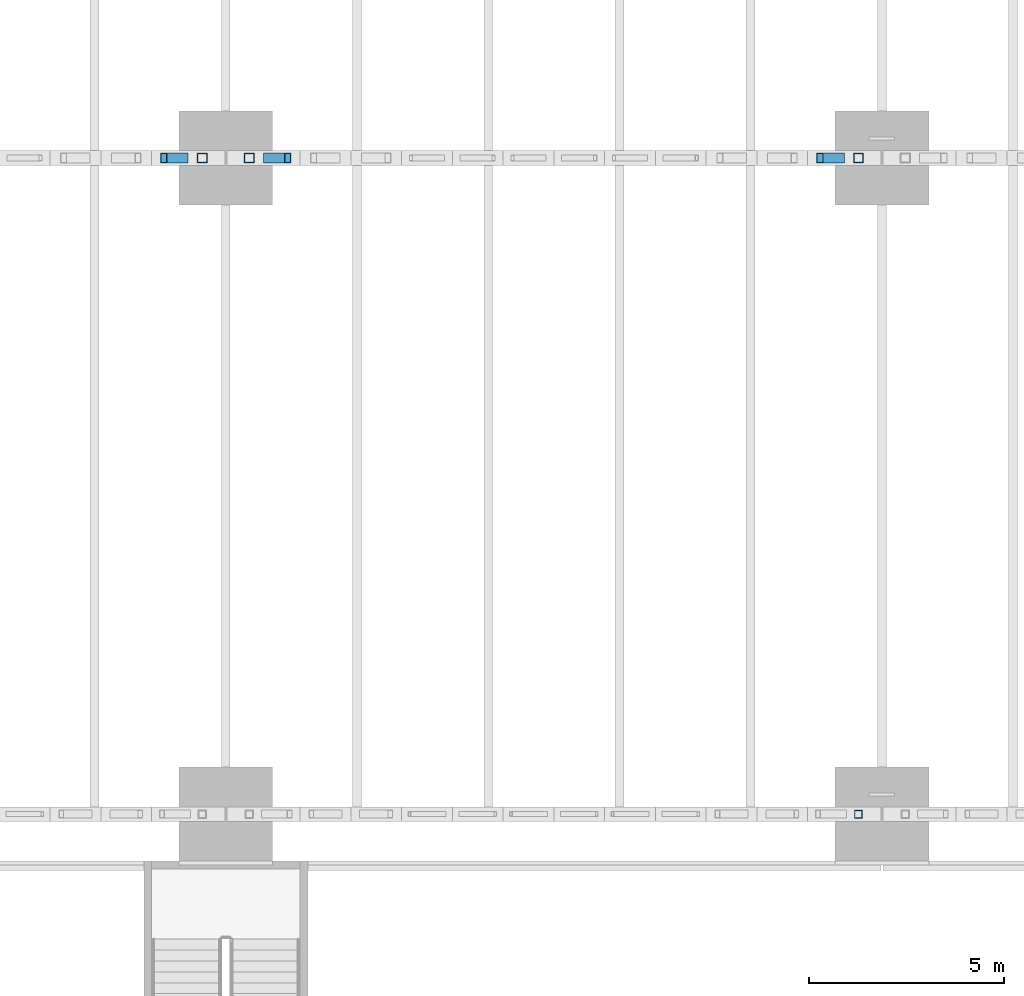
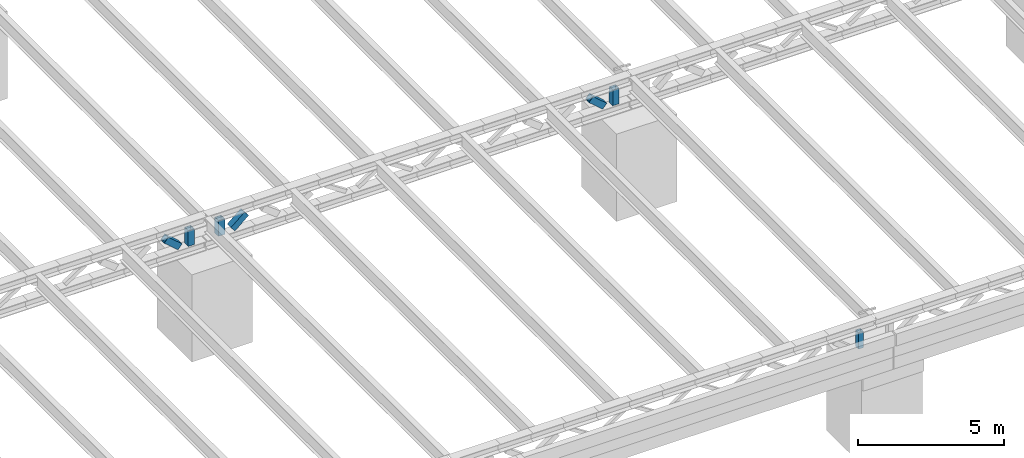
# One storey, part 40 of 93: 7 members.
"""IFC4 building model written with IfcOpenShell, lengths in metres."""

from ifc_helpers import new_model, si_unit, direction, frame, origin, origin_2d, place, context, subcontext, project, spatial, hollow_rectangle, extrude, material, material_profile, profile_set, type_object, element, save


model = new_model("IFC4")

# Units and contexts
model_context = context("Model", 3, precision=1e-05, world=origin(), true_north=direction((0.0, 1.0)))
body_context = subcontext(model_context, "Body", "Model", "MODEL_VIEW")
ifc_project = project(units=[si_unit("LENGTHUNIT", "METRE"), si_unit("AREAUNIT", "SQUARE_METRE"), si_unit("VOLUMEUNIT", "CUBIC_METRE"), si_unit("PLANEANGLEUNIT", "RADIAN"), si_unit("MASSUNIT", "GRAM", prefix="KILO")], contexts=[model_context])

# Site, building, storey
site_placement = place(None, origin())
site = spatial("IfcSite", under=ifc_project, at=site_placement, CompositionType="ELEMENT")
building_placement = place(site_placement, origin())
building = spatial("IfcBuilding", under=site, at=building_placement, Name="Verrick Yard Athletic Hall", CompositionType="ELEMENT")
storey_placement = place(building_placement, frame((0.0, 0.0, 8.800048828125)))
storey = spatial("IfcBuildingStorey", under=building, at=storey_placement, Name="L02", CompositionType="ELEMENT", Elevation=8.800048828125)

# Members
ifc_material = material(Name="Structural steel HSS Class C 350W (CSA G40.20/G40.21)", Category="steel")
ifc_material_profile_1 = material_profile(ifc_material, hollow_rectangle(XDim=0.203125, YDim=0.203125, WallThickness=0.0126953125, at=origin_2d()), Name="HSS203x203x13")
ifc_profile_set_1 = profile_set([ifc_material_profile_1], Name="Structural steel HSS Class C 350W (CSA G40.20/G40.21)")
member_type_1 = type_object("IfcMemberType", Name="STR Edge truss end post HSS203x203x13", PredefinedType="POST", material=ifc_profile_set_1)
member_1_placement = place(storey_placement, frame((73.0, 19.199951171875, 4.005859375), z_axis=(0.0, 0.0, 1.0), x_axis=(1.0, 0.0, 0.0)))
element("IfcMember", 1, at=member_1_placement, inside=storey, type_object=member_type_1, Name="STR-TP-GA2-E", PredefinedType="POST", context=body_context, shape_type="SweptSolid", body=[
    extrude(hollow_rectangle(XDim=0.203125, YDim=0.203125, WallThickness=0.0126953125, at=origin_2d()), origin(), (0.0, 0.0, 1.0), 0.68798828125),
])
ifc_material_profile_2 = material_profile(ifc_material, hollow_rectangle(XDim=0.25390625, YDim=0.25390625, WallThickness=0.0126953125, at=origin_2d()), Name="HSS254x254x13")
ifc_profile_set_2 = profile_set([ifc_material_profile_2], Name="Structural steel HSS Class C 350W (CSA G40.20/G40.21)")
member_type_2 = type_object("IfcMemberType", Name="STR Truss end post HSS254x254x13", PredefinedType="POST", material=ifc_profile_set_2)
for number, where, z_axis, x_axis, name in (
    (2, (56.199951171875, 36.0, 4.02197265625), (0.0, 0.0, 1.0), (1.0, 0.0, 0.0), "STR-TP-GB1-E"),
    (3, (57.39990234375, 36.0, 4.02197265625), (0.0, 0.0, 1.0), (1.0, 0.0, 0.0), "STR-TP-GB2-W"),
    (4, (73.0, 36.0, 4.02197265625), (0.0, 0.0, 1.0), (1.0, 0.0, 0.0), "STR-TP-GB2-E"),
):
    element("IfcMember", number, at=place(storey_placement, frame(where, z_axis=z_axis, x_axis=x_axis)), inside=storey, type_object=member_type_2, Name=name, PredefinedType="POST", context=body_context, shape_type="SweptSolid", body=[
        extrude(hollow_rectangle(XDim=0.25390625, YDim=0.25390625, WallThickness=0.0126953125, at=origin_2d()), origin(), (0.0, 0.0, 1.0), 0.656005859375),
    ])
ifc_material_profile_3 = material_profile(ifc_material, hollow_rectangle(XDim=0.25390625, YDim=0.25390625, WallThickness=0.0126953125, at=origin_2d()), Name="HSS254x254x13")
ifc_profile_set_3 = profile_set([ifc_material_profile_3], Name="Structural steel HSS Class C 350W (CSA G40.20/G40.21)")
member_type_3 = type_object("IfcMemberType", Name="STR Truss web HSS254x254x13", PredefinedType="BRACE", material=ifc_profile_set_3)
member_2_placement = place(storey_placement, frame((55.212646484375, 36.0, 4.58203125), z_axis=(0.760004219481, 0.0, -0.649918138207), x_axis=(0.0, 1.0, 0.0)))
element("IfcMember", 5, at=member_2_placement, inside=storey, type_object=member_type_3, Name="STR-TW-GB1-12", PredefinedType="BRACE", context=body_context, shape_type="SweptSolid", body=[
    extrude(hollow_rectangle(XDim=0.25390625, YDim=0.25390625, WallThickness=0.0126953125, at=origin_2d()), origin(), (0.0, 0.0, 1.0), 0.714111328125),
])
for number, where, z_axis, x_axis, name in (
    (6, (57.844482421875, 36.0, 4.117919921875), (0.76014857208, 0.0, 0.649749296548), (0.0, 1.0, 0.0), "STR-TW-GB2-1"),
    (7, (72.012451171875, 36.0, 4.58203125), (0.76014857208, 0.0, -0.649749296548), (0.0, 1.0, 0.0), "STR-TW-GB2-12"),
):
    element("IfcMember", number, at=place(storey_placement, frame(where, z_axis=z_axis, x_axis=x_axis)), inside=storey, type_object=member_type_3, Name=name, PredefinedType="BRACE", context=body_context, shape_type="SweptSolid", body=[
        extrude(hollow_rectangle(XDim=0.25390625, YDim=0.25390625, WallThickness=0.0126953125, at=origin_2d()), origin(), (0.0, 0.0, 1.0), 0.71435546875),
    ])

save(model, "model.ifc")
